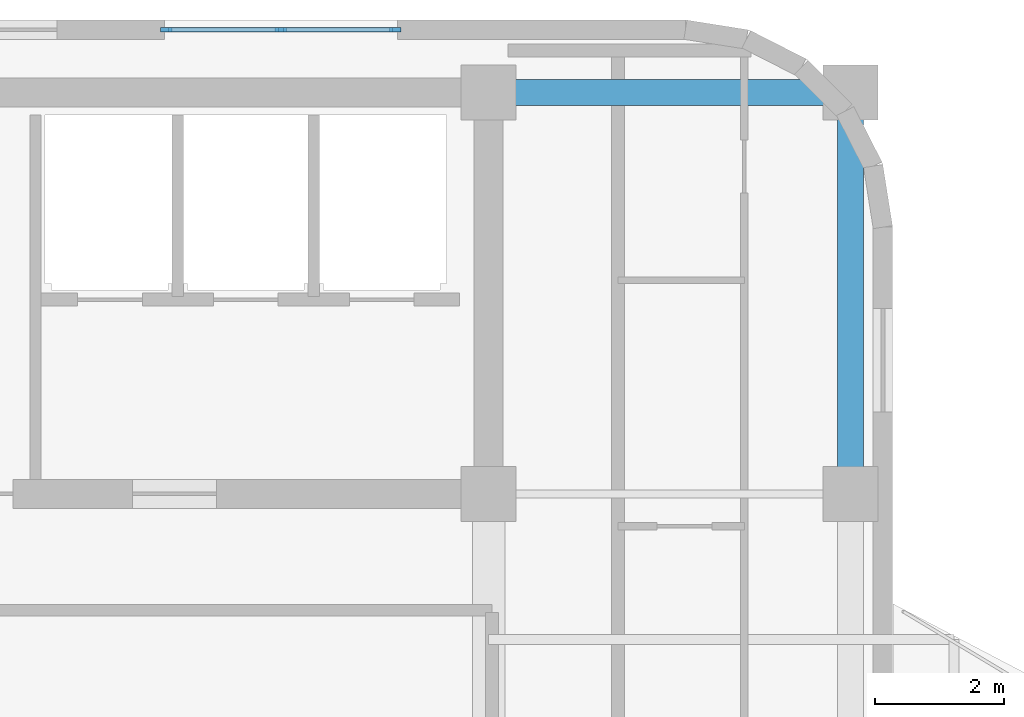
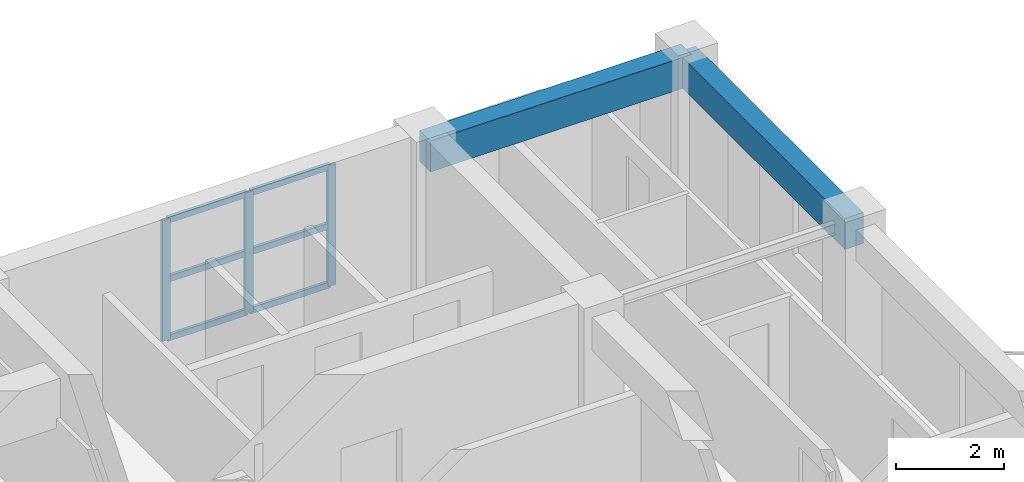
# One storey, part 4 of 12: 9 members, 2 beams, 1 element without a shape of its own.
"""IFC4 building model written with IfcOpenShell, lengths in metres."""

from ifc_helpers import new_model, si_unit, direction, frame, origin, origin_2d, place, context, subcontext, project, spatial, rectangle, extrude, material, material_profile, profile_set, type_object, element, aggregate, save


model = new_model("IFC4")

# Units and contexts
model_context = context("Model", 3, precision=1e-05, world=origin(), true_north=direction((0.0, 1.0)))
body_context = subcontext(model_context, "Body", "Model", "MODEL_VIEW")
ifc_project = project(units=[si_unit("LENGTHUNIT", "METRE"), si_unit("AREAUNIT", "SQUARE_METRE"), si_unit("VOLUMEUNIT", "CUBIC_METRE"), si_unit("PLANEANGLEUNIT", "RADIAN"), si_unit("MASSUNIT", "GRAM", prefix="KILO")], contexts=[model_context])

# Site, building, storey
site_placement = place(None, origin())
site = spatial("IfcSite", under=ifc_project, at=site_placement, CompositionType="ELEMENT")
building_placement = place(site_placement, origin())
building = spatial("IfcBuilding", under=site, at=building_placement, Name="Svetorya Sky Lyceum", CompositionType="ELEMENT")
storey_placement = place(building_placement, frame((0.0, 0.0, 236.89990234375)))
storey = spatial("IfcBuildingStorey", under=building, at=storey_placement, Name="L59", CompositionType="ELEMENT", Elevation=236.89990234375)

# Beams
ifc_material_1 = material(Name="Concrete C50/60", Category="concrete")
ifc_material_profile_1 = material_profile(ifc_material_1, rectangle(XDim=0.39990234375, YDim=0.699951171875, at=origin_2d()), Name="RC SPANDREL 400x700")
ifc_profile_set_1 = profile_set([ifc_material_profile_1], Name="Concrete C50/60")
beam_type = type_object("IfcBeamType", Name="BM-SPN-700", PredefinedType="SPANDREL", material=ifc_profile_set_1)
beam_1_placement = place(storey_placement, frame((52.800048828125, 45.800048828125, 3.10009765625), z_axis=(1.0, 0.0, 0.0), x_axis=(0.0, 1.0, 0.0)))
element("IfcBeam", 1, at=beam_1_placement, inside=storey, type_object=beam_type, Name="L59 Tie Spandrel NE", PredefinedType="SPANDREL", context=body_context, shape_type="SweptSolid", body=[
    extrude(rectangle(XDim=0.39990234375, YDim=0.699951171875, at=origin_2d()), origin(), (0.0, 0.0, 1.0), 5.58984375),
])
beam_2_placement = place(storey_placement, frame((58.389892578125, 39.60009765625, 3.10009765625), z_axis=(0.0, 1.0, 0.0), x_axis=(-1.0, 0.0, 0.0)))
element("IfcBeam", 2, at=beam_2_placement, inside=storey, type_object=beam_type, Name="L59 East Spandrel 4", PredefinedType="SPANDREL", context=body_context, shape_type="SweptSolid", body=[
    extrude(rectangle(XDim=0.39990234375, YDim=0.699951171875, at=origin_2d()), origin(), (0.0, 0.0, 1.0), 6.199951171875),
])

# Curtain wall, members
ifc_material_2 = material(Name="Thermally broken anodized aluminium and triple low-E glass", Category="aluminium")
curtain_wall_type = type_object("IfcCurtainWallType", Name="CW3-LOG-RES", PredefinedType="NOTDEFINED", material=ifc_material_2)
curtain_wall_placement = place(storey_placement, origin())
curtain_wall = element("IfcCurtainWall", 3, at=curtain_wall_placement, inside=storey, type_object=curtain_wall_type, Name="L59 Recessed Loggia Curtain Wall 24", PredefinedType="NOTDEFINED")
ifc_material_3 = material(Name="Thermally broken anodized aluminium EN AW-6060", Category="aluminium")
ifc_material_profile_2 = material_profile(ifc_material_3, rectangle(XDim=0.06494140625, YDim=0.179931640625, at=origin_2d()), Name="ALU MULLION 65x180")
ifc_profile_set_2 = profile_set([ifc_material_profile_2], Name="Thermally broken anodized aluminium EN AW-6060")
member_type_1 = type_object("IfcMemberType", Name="CWM-MUL-180", PredefinedType="MULLION", material=ifc_profile_set_2)
member_1_placement = place(storey_placement, frame((51.357421875, 46.77001953125, 0.0), z_axis=(0.0, 0.0, 1.0), x_axis=(0.0, -1.0, 0.0)))
member_1 = element("IfcMember", 4, at=member_1_placement, type_object=member_type_1, Name="CW-3 mullion 1", PredefinedType="MULLION", context=body_context, shape_type="SweptSolid", body=[
    extrude(rectangle(XDim=0.06494140625, YDim=0.179931640625, at=origin_2d()), origin(), (0.0, 0.0, 1.0), 2.72998046875),
])
member_2_placement = place(storey_placement, frame((49.590087890625, 46.77001953125, 0.0), z_axis=(0.0, 0.0, 1.0), x_axis=(0.0, -1.0, 0.0)))
member_2 = element("IfcMember", 5, at=member_2_placement, type_object=member_type_1, Name="CW-3 mullion 2", PredefinedType="MULLION", context=body_context, shape_type="SweptSolid", body=[
    extrude(rectangle(XDim=0.06494140625, YDim=0.179931640625, at=origin_2d()), origin(), (0.0, 0.0, 1.0), 2.72998046875),
])
member_3_placement = place(storey_placement, frame((47.822509765625, 46.77001953125, 0.0), z_axis=(0.0, 0.0, 1.0), x_axis=(0.0, -1.0, 0.0)))
member_3 = element("IfcMember", 6, at=member_3_placement, type_object=member_type_1, Name="CW-3 mullion 3", PredefinedType="MULLION", context=body_context, shape_type="SweptSolid", body=[
    extrude(rectangle(XDim=0.06494140625, YDim=0.179931640625, at=origin_2d()), origin(), (0.0, 0.0, 1.0), 2.72998046875),
])
ifc_material_profile_3 = material_profile(ifc_material_3, rectangle(XDim=0.06494140625, YDim=0.139892578125, at=origin_2d()), Name="ALU TRANSOM 65x140")
ifc_profile_set_3 = profile_set([ifc_material_profile_3], Name="Thermally broken anodized aluminium EN AW-6060")
member_type_2 = type_object("IfcMemberType", Name="CWM-TRN-140", PredefinedType="USERDEFINED", material=ifc_profile_set_3)
member_4_placement = place(storey_placement, frame((51.326416015625, 46.77001953125, 0.03271484375), z_axis=(-1.0, 0.0, 0.0), x_axis=(0.0, -1.0, 0.0)))
member_4 = element("IfcMember", 7, at=member_4_placement, type_object=member_type_2, Name="CW-3 transom 1.1", ObjectType="TRANSOM", PredefinedType="USERDEFINED", context=body_context, shape_type="SweptSolid", body=[
    extrude(rectangle(XDim=0.06494140625, YDim=0.139892578125, at=origin_2d()), origin(), (0.0, 0.0, 1.0), 1.705322265625),
])
member_5_placement = place(storey_placement, frame((51.326416015625, 46.77001953125, 1.364990234375), z_axis=(-1.0, 0.0, 0.0), x_axis=(0.0, -1.0, 0.0)))
member_5 = element("IfcMember", 8, at=member_5_placement, type_object=member_type_2, Name="CW-3 transom 1.2", ObjectType="TRANSOM", PredefinedType="USERDEFINED", context=body_context, shape_type="SweptSolid", body=[
    extrude(rectangle(XDim=0.06494140625, YDim=0.139892578125, at=origin_2d()), origin(), (0.0, 0.0, 1.0), 1.705322265625),
])
member_6_placement = place(storey_placement, frame((51.326416015625, 46.77001953125, 2.697509765625), z_axis=(-1.0, 0.0, 0.0), x_axis=(0.0, -1.0, 0.0)))
member_6 = element("IfcMember", 9, at=member_6_placement, type_object=member_type_2, Name="CW-3 transom 1.3", ObjectType="TRANSOM", PredefinedType="USERDEFINED", context=body_context, shape_type="SweptSolid", body=[
    extrude(rectangle(XDim=0.06494140625, YDim=0.139892578125, at=origin_2d()), origin(), (0.0, 0.0, 1.0), 1.705322265625),
])
member_7_placement = place(storey_placement, frame((49.55908203125, 46.77001953125, 0.03271484375), z_axis=(-1.0, 0.0, 0.0), x_axis=(0.0, -1.0, 0.0)))
member_7 = element("IfcMember", 10, at=member_7_placement, type_object=member_type_2, Name="CW-3 transom 2.1", ObjectType="TRANSOM", PredefinedType="USERDEFINED", context=body_context, shape_type="SweptSolid", body=[
    extrude(rectangle(XDim=0.06494140625, YDim=0.139892578125, at=origin_2d()), origin(), (0.0, 0.0, 1.0), 1.70556640625),
])
member_8_placement = place(storey_placement, frame((49.55908203125, 46.77001953125, 1.364990234375), z_axis=(-1.0, 0.0, 0.0), x_axis=(0.0, -1.0, 0.0)))
member_8 = element("IfcMember", 11, at=member_8_placement, type_object=member_type_2, Name="CW-3 transom 2.2", ObjectType="TRANSOM", PredefinedType="USERDEFINED", context=body_context, shape_type="SweptSolid", body=[
    extrude(rectangle(XDim=0.06494140625, YDim=0.139892578125, at=origin_2d()), origin(), (0.0, 0.0, 1.0), 1.70556640625),
])
member_9_placement = place(storey_placement, frame((49.55908203125, 46.77001953125, 2.697509765625), z_axis=(-1.0, 0.0, 0.0), x_axis=(0.0, -1.0, 0.0)))
member_9 = element("IfcMember", 12, at=member_9_placement, type_object=member_type_2, Name="CW-3 transom 2.3", ObjectType="TRANSOM", PredefinedType="USERDEFINED", context=body_context, shape_type="SweptSolid", body=[
    extrude(rectangle(XDim=0.06494140625, YDim=0.139892578125, at=origin_2d()), origin(), (0.0, 0.0, 1.0), 1.70556640625),
])
aggregate(curtain_wall, [member_1, member_2, member_3, member_4, member_5, member_6, member_7, member_8, member_9])

save(model, "model.ifc")
